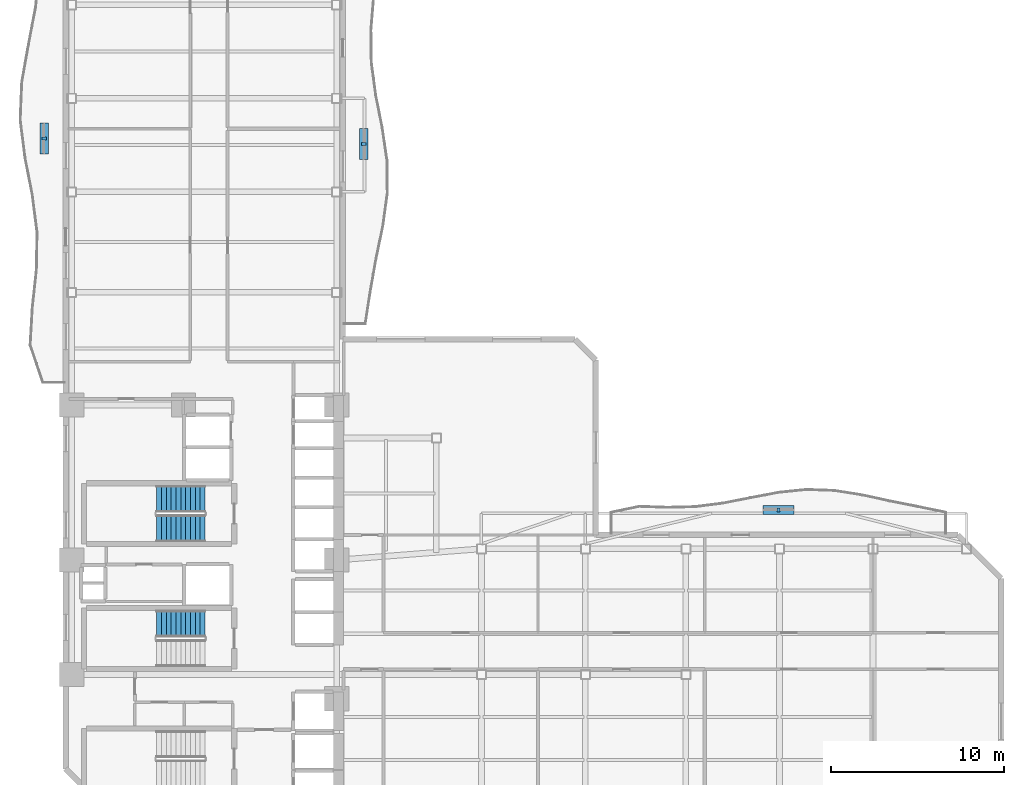
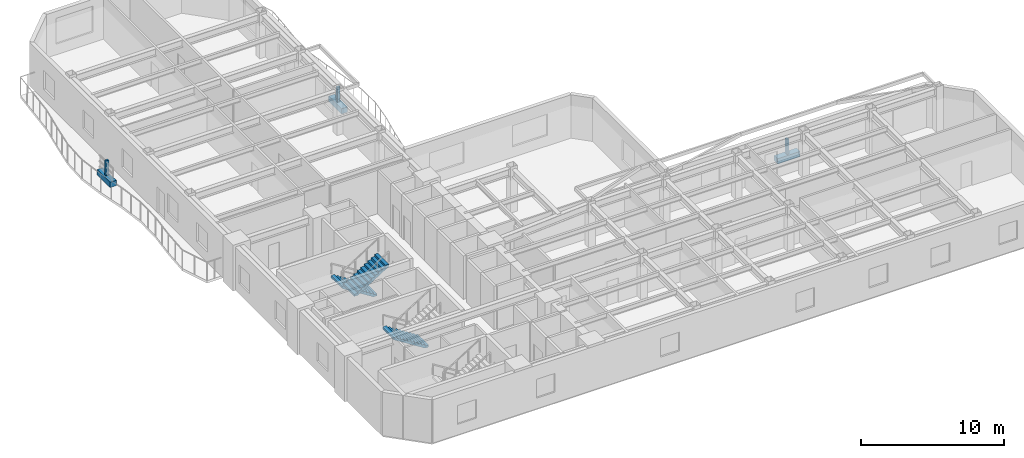
# One storey, part 7 of 10: 6 discrete accessories, 3 stair flights, 2 elements without a shape of their own.
"""IFC4 building model written with IfcOpenShell, lengths in metres."""

from ifc_helpers import new_model, si_unit, direction, frame, origin, origin_2d, place, context, subcontext, project, spatial, polyline, rectangle, outline, extrude, material, type_object, element, aggregate, save


model = new_model("IFC4")

# Units and contexts
model_context = context("Model", 3, precision=1e-05, world=origin(), true_north=direction((0.0, 1.0)))
body_context = subcontext(model_context, "Body", "Model", "MODEL_VIEW")
ifc_project = project(units=[si_unit("LENGTHUNIT", "METRE"), si_unit("AREAUNIT", "SQUARE_METRE"), si_unit("VOLUMEUNIT", "CUBIC_METRE"), si_unit("PLANEANGLEUNIT", "RADIAN"), si_unit("MASSUNIT", "GRAM", prefix="KILO")], contexts=[model_context])

# Site, building, storey
site_placement = place(None, origin())
site = spatial("IfcSite", under=ifc_project, at=site_placement, CompositionType="ELEMENT")
building_placement = place(site_placement, origin())
building = spatial("IfcBuilding", under=site, at=building_placement, Name="Mawjaban Terraces University", CompositionType="ELEMENT")
storey_placement = place(building_placement, frame((0.0, 0.0, 58.300048828125)))
storey = spatial("IfcBuildingStorey", under=building, at=storey_placement, Name="L13", CompositionType="ELEMENT", Elevation=58.300048828125)

# Stair, stair flights
ifc_material_1 = material(Name="Concrete C40/50", Category="concrete")
stair_type = type_object("IfcStairType", Name="Stair_Core1550_H39", PredefinedType="HALF_TURN_STAIR", material=ifc_material_1)
stair_1_placement = place(storey_placement, origin())
stair_1 = element("IfcStair", 1, at=stair_1_placement, inside=storey, type_object=stair_type, Name="L13 Core Exit Stair 2", PredefinedType="HALF_TURN_STAIR")
stair_flight_type = type_object("IfcStairFlightType", Name="Flight_Core1550_H39", PredefinedType="STRAIGHT", material=ifc_material_1)
stair_flight_1_placement = place(storey_placement, frame((30.050048828125, 18.074951171875, 0.0), z_axis=(0.0, 0.0, 1.0), x_axis=(-1.0, 0.0, 0.0)))
stair_flight_1 = element("IfcStairFlight", 2, at=stair_flight_1_placement, type_object=stair_flight_type, Name="ST-2 flight 1", NumberOfRisers=11, NumberOfTreads=10, PredefinedType="STRAIGHT", RiserHeight=0.177272727, TreadLength=0.28, context=body_context, shape_type="SweptSolid", body=[
    extrude(outline(polyline([(0.0, 0.0), (0.0, 0.17724609375), (0.280029296875, 0.17724609375), (0.280029296875, 0.3544921875), (0.56005859375, 0.3544921875), (0.56005859375, 0.53173828125), (0.840087890625, 0.53173828125), (0.840087890625, 0.708984375), (1.1201171875, 0.708984375), (1.1201171875, 0.886474609375), (1.39990234375, 0.886474609375), (1.39990234375, 1.063720703125), (1.679931640625, 1.063720703125), (1.679931640625, 1.240966796875), (1.9599609375, 1.240966796875), (1.9599609375, 1.418212890625), (2.239990234375, 1.418212890625), (2.239990234375, 1.595458984375), (2.52001953125, 1.595458984375), (2.52001953125, 1.772705078125), (2.800048828125, 1.772705078125), (2.800048828125, 1.949951171875), (2.800048828125, 1.59521484375), (0.2802734375, 0.0), (0.0, 0.0)])), frame((0.0, 0.77490234375, 0.0), z_axis=(0.0, -1.0, 0.0), x_axis=(1.0, 0.0, 0.0)), (0.0, 0.0, 1.0), 1.550048828125),
])
stair_flight_2_placement = place(storey_placement, frame((27.25, 16.375, 1.949951171875), z_axis=(0.0, 0.0, 1.0), x_axis=(1.0, 0.0, 0.0)))
stair_flight_2 = element("IfcStairFlight", 3, at=stair_flight_2_placement, type_object=stair_flight_type, Name="ST-2 flight 2", NumberOfRisers=11, NumberOfTreads=10, PredefinedType="STRAIGHT", RiserHeight=0.177272727, TreadLength=0.28, context=body_context, shape_type="SweptSolid", body=[
    extrude(outline(polyline([(0.0, 0.0), (0.0, 0.17724609375), (0.280029296875, 0.17724609375), (0.280029296875, 0.3544921875), (0.56005859375, 0.3544921875), (0.56005859375, 0.53173828125), (0.840087890625, 0.53173828125), (0.840087890625, 0.708984375), (1.1201171875, 0.708984375), (1.1201171875, 0.886474609375), (1.39990234375, 0.886474609375), (1.39990234375, 1.063720703125), (1.679931640625, 1.063720703125), (1.679931640625, 1.240966796875), (1.9599609375, 1.240966796875), (1.9599609375, 1.418212890625), (2.239990234375, 1.418212890625), (2.239990234375, 1.595458984375), (2.52001953125, 1.595458984375), (2.52001953125, 1.772705078125), (2.800048828125, 1.772705078125), (2.800048828125, 1.949951171875), (2.800048828125, 1.59521484375), (0.2802734375, 0.0), (0.0, 0.0)])), frame((0.0, 0.77490234375, 0.0), z_axis=(0.0, -1.0, 0.0), x_axis=(1.0, 0.0, 0.0)), (0.0, 0.0, 1.0), 1.550048828125),
])
aggregate(stair_1, [stair_flight_1, stair_flight_2])

# Stair, stair flight
stair_2_placement = place(storey_placement, origin())
stair_2 = element("IfcStair", 4, at=stair_2_placement, inside=storey, type_object=stair_type, Name="L13 Core Exit Stair 3", PredefinedType="HALF_TURN_STAIR")
stair_flight_3_placement = place(storey_placement, frame((30.050048828125, 10.875, 0.0), z_axis=(0.0, 0.0, 1.0), x_axis=(-1.0, 0.0, 0.0)))
stair_flight_3 = element("IfcStairFlight", 5, at=stair_flight_3_placement, type_object=stair_flight_type, Name="ST-3 flight 1", NumberOfRisers=11, NumberOfTreads=10, PredefinedType="STRAIGHT", RiserHeight=0.177272727, TreadLength=0.28, context=body_context, shape_type="SweptSolid", body=[
    extrude(outline(polyline([(0.0, 0.0), (0.0, 0.17724609375), (0.280029296875, 0.17724609375), (0.280029296875, 0.3544921875), (0.56005859375, 0.3544921875), (0.56005859375, 0.53173828125), (0.840087890625, 0.53173828125), (0.840087890625, 0.708984375), (1.1201171875, 0.708984375), (1.1201171875, 0.886474609375), (1.39990234375, 0.886474609375), (1.39990234375, 1.063720703125), (1.679931640625, 1.063720703125), (1.679931640625, 1.240966796875), (1.9599609375, 1.240966796875), (1.9599609375, 1.418212890625), (2.239990234375, 1.418212890625), (2.239990234375, 1.595458984375), (2.52001953125, 1.595458984375), (2.52001953125, 1.772705078125), (2.800048828125, 1.772705078125), (2.800048828125, 1.949951171875), (2.800048828125, 1.59521484375), (0.2802734375, 0.0), (0.0, 0.0)])), frame((0.0, 0.77490234375, 0.0), z_axis=(0.0, -1.0, 0.0), x_axis=(1.0, 0.0, 0.0)), (0.0, 0.0, 1.0), 1.550048828125),
])
aggregate(stair_2, [stair_flight_3])

# Discrete accessories
ifc_material_2 = material(Name="Stainless steel 316L", Category="steel")
discrete_accessory_type_1 = type_object("IfcDiscreteAccessoryType", Name="FacadeScreenBracket_Steel", PredefinedType="BRACKET", material=ifc_material_2)
for number, where, z_axis, x_axis, name in (
    (6, (20.76904296875, 38.883056640625, 0.419921875), (0.0, 0.0, 1.0), (0.0, 1.0, 0.0), "L13 Balcony Screen Support Bracket west"),
    (7, (63.14208984375, 17.44091796875, 0.419921875), (0.0, 0.0, 1.0), (1.0, 0.0, 0.0), "L13 Balcony Screen Support Bracket inner_north"),
    (8, (39.205078125, 38.555908203125, 0.419921875), (0.0, 0.0, 1.0), (0.0, 1.0, 0.0), "L13 Balcony Screen Support Bracket inner_east"),
):
    element("IfcDiscreteAccessory", number, at=place(storey_placement, frame(where, z_axis=z_axis, x_axis=x_axis)), inside=storey, type_object=discrete_accessory_type_1, Name=name, PredefinedType="BRACKET", context=body_context, shape_type="SweptSolid", body=[
        extrude(rectangle(XDim=0.159912109375, YDim=0.239990234375, at=origin_2d()), origin(), (0.0, 0.0, 1.0), 1.300048828125),
    ])
ifc_material_3 = material(Name="Precast architectural terracotta planter with engineered planting soil", Category="masonry")
discrete_accessory_type_2 = type_object("IfcDiscreteAccessoryType", Name="IrrigatedPlanterTrough_450", PredefinedType="USERDEFINED", material=ifc_material_3)
for number, where, z_axis, x_axis, name in (
    (9, (20.76904296875, 38.883056640625, -0.0048828125), (0.0, 0.0, 1.0), (0.0, 1.0, 0.0), "L13 Balcony Irrigated Planter west"),
    (10, (63.14208984375, 17.44091796875, -0.0048828125), (0.0, 0.0, 1.0), (1.0, 0.0, 0.0), "L13 Balcony Irrigated Planter inner_north"),
    (11, (39.205078125, 38.555908203125, -0.0048828125), (0.0, 0.0, 1.0), (0.0, 1.0, 0.0), "L13 Balcony Irrigated Planter inner_east"),
):
    element("IfcDiscreteAccessory", number, at=place(storey_placement, frame(where, z_axis=z_axis, x_axis=x_axis)), inside=storey, type_object=discrete_accessory_type_2, Name=name, ObjectType="PLANTER", PredefinedType="USERDEFINED", context=body_context, shape_type="SweptSolid", body=[
        extrude(rectangle(XDim=1.800048828125, YDim=0.5, at=origin_2d()), origin(), (0.0, 0.0, 1.0), 0.449951171875),
    ])

save(model, "model.ifc")
